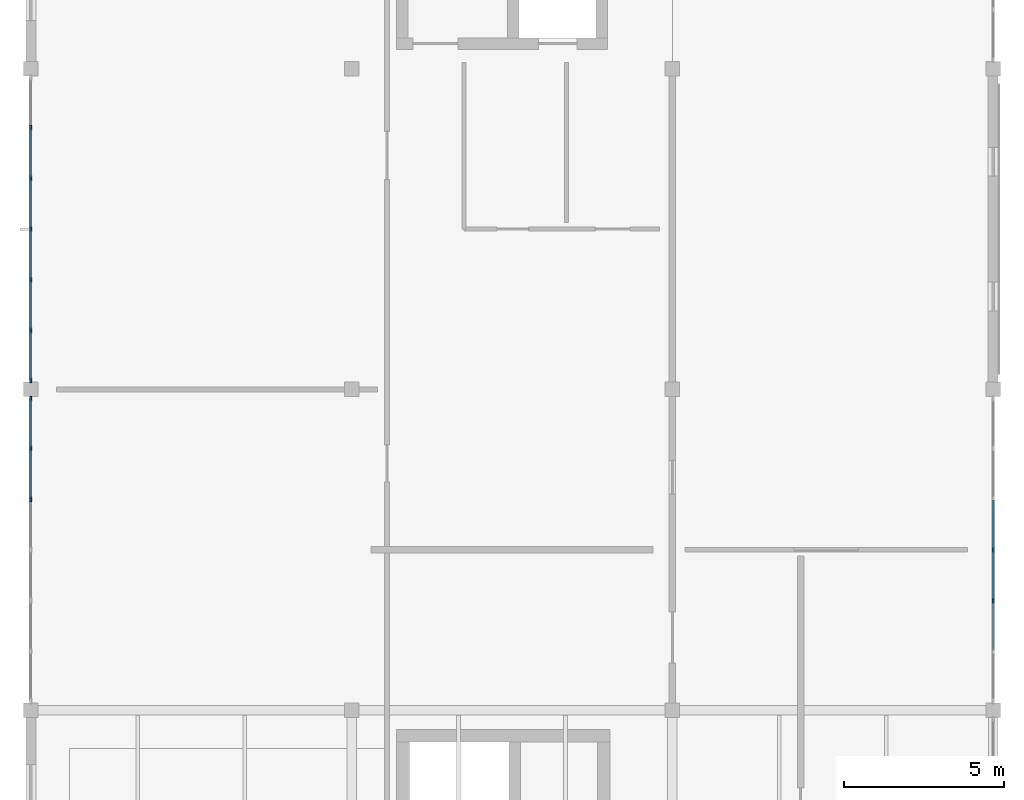
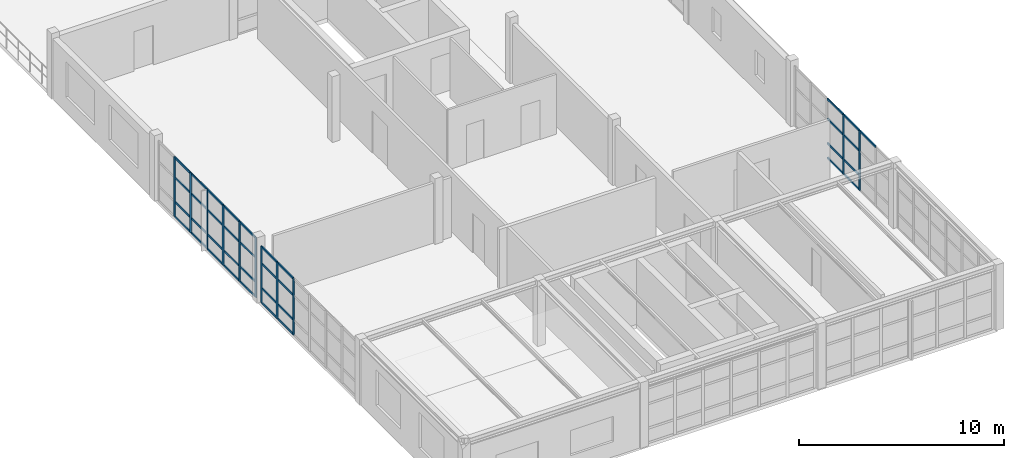
# One storey, part 4 of 11: 48 members, 3 elements without a shape of their own.
"""IFC4 building model written with IfcOpenShell, lengths in metres."""

from ifc_helpers import new_model, si_unit, direction, frame, origin, origin_2d, place, context, subcontext, project, spatial, rectangle, extrude, material, layer, layer_set, material_profile, profile_set, type_object, element, aggregate, save


model = new_model("IFC4")

# Units and contexts
model_context = context("Model", 3, precision=1e-05, world=origin(), true_north=direction((0.0, 1.0)))
body_context = subcontext(model_context, "Body", "Model", "MODEL_VIEW")
ifc_project = project(units=[si_unit("LENGTHUNIT", "METRE"), si_unit("AREAUNIT", "SQUARE_METRE"), si_unit("VOLUMEUNIT", "CUBIC_METRE"), si_unit("PLANEANGLEUNIT", "RADIAN"), si_unit("MASSUNIT", "GRAM", prefix="KILO"), si_unit("THERMODYNAMICTEMPERATUREUNIT", "KELVIN"), si_unit("POWERUNIT", "WATT")], contexts=[model_context])

# Site, building, storey
site_placement = place(None, origin())
site = spatial("IfcSite", under=ifc_project, at=site_placement, CompositionType="ELEMENT")
building_placement = place(site_placement, origin())
building = spatial("IfcBuilding", under=site, at=building_placement, Name="Korenveer Ferry Terminal", CompositionType="ELEMENT")
storey_placement = place(building_placement, frame((0.0, 0.0, 18.300048828125)))
storey = spatial("IfcBuildingStorey", under=building, at=storey_placement, Name="L04", CompositionType="ELEMENT", Elevation=18.300048828125)

# Curtain wall, members
ifc_material_1 = material(Name="Unitised bronze-and-glass curtain wall", Category="glass")
ifc_layer_1 = layer(ifc_material_1, 0.159912109375)
ifc_layer_set_1 = layer_set([ifc_layer_1], Name="Unitised bronze-and-glass curtain wall")
curtain_wall_type_1 = type_object("IfcCurtainWallType", Name="ENV-CW-131", PredefinedType="USERDEFINED", material=ifc_layer_set_1)
curtain_wall_1_placement = place(storey_placement, frame((0.0, 30.2548828125, 0.0)))
curtain_wall_1 = element("IfcCurtainWall", 1, at=curtain_wall_1_placement, inside=storey, type_object=curtain_wall_type_1, Name="Lancet curtain wall CWX-L04-X0-0-Y30-40", ObjectType="UNITISED CURTAIN WALL", PredefinedType="USERDEFINED")
ifc_material_2 = material(Name="Anodised bronze aluminium", Category="aluminium")
ifc_material_profile_1 = material_profile(ifc_material_2, rectangle(XDim=0.06005859375, YDim=0.159912109375, at=origin_2d()), Name="ALU 60x160")
ifc_profile_set_1 = profile_set([ifc_material_profile_1], Name="Anodised bronze aluminium")
member_type_1 = type_object("IfcMemberType", Name="ENV-CWM-60X160", PredefinedType="MULLION", material=ifc_profile_set_1)
member_1_placement = place(storey_placement, frame((0.0, 36.581787109375, 0.0), z_axis=(0.0, 0.0, 1.0), x_axis=(-1.0, 0.0, 0.0)))
member_1 = element("IfcMember", 2, at=member_1_placement, type_object=member_type_1, Name="CW-131 mullion 5", PredefinedType="MULLION", context=body_context, shape_type="SweptSolid", body=[
    extrude(rectangle(XDim=0.06005859375, YDim=0.159912109375, at=origin_2d()), origin(), (0.0, 0.0, 1.0), 3.35986328125),
])
member_2_placement = place(storey_placement, frame((0.0, 38.163330078125, 0.0), z_axis=(0.0, 0.0, 1.0), x_axis=(-1.0, 0.0, 0.0)))
member_2 = element("IfcMember", 3, at=member_2_placement, type_object=member_type_1, Name="CW-131 mullion 6", PredefinedType="MULLION", context=body_context, shape_type="SweptSolid", body=[
    extrude(rectangle(XDim=0.06005859375, YDim=0.159912109375, at=origin_2d()), origin(), (0.0, 0.0, 1.0), 3.35986328125),
])
member_3_placement = place(storey_placement, frame((0.0, 39.715087890625, 0.0), z_axis=(0.0, 0.0, 1.0), x_axis=(-1.0, 0.0, 0.0)))
member_3 = element("IfcMember", 4, at=member_3_placement, type_object=member_type_1, Name="CW-131 mullion 7", PredefinedType="MULLION", context=body_context, shape_type="SweptSolid", body=[
    extrude(rectangle(XDim=0.06005859375, YDim=0.159912109375, at=origin_2d()), origin(), (0.0, 0.0, 1.0), 3.35986328125),
])

ifc_layer_2 = layer(ifc_material_1, 0.159912109375)
ifc_layer_set_2 = layer_set([ifc_layer_2], Name="Unitised bronze-and-glass curtain wall")
curtain_wall_type_2 = type_object("IfcCurtainWallType", Name="ENV-CW-132", PredefinedType="USERDEFINED", material=ifc_layer_set_2)
curtain_wall_2_placement = place(storey_placement, frame((0.0, 40.2548828125, 0.0)))
curtain_wall_2 = element("IfcCurtainWall", 5, at=curtain_wall_2_placement, inside=storey, type_object=curtain_wall_type_2, Name="Lancet curtain wall CWX-L04-X0-0-Y40-50", ObjectType="UNITISED CURTAIN WALL", PredefinedType="USERDEFINED")
member_4_placement = place(storey_placement, frame((0.0, 40.284912109375, 0.0), z_axis=(0.0, 0.0, 1.0), x_axis=(-1.0, 0.0, 0.0)))
member_4 = element("IfcMember", 6, at=member_4_placement, type_object=member_type_1, Name="CW-132 mullion 1", PredefinedType="MULLION", context=body_context, shape_type="SweptSolid", body=[
    extrude(rectangle(XDim=0.06005859375, YDim=0.159912109375, at=origin_2d()), origin(), (0.0, 0.0, 1.0), 3.56005859375),
])
member_5_placement = place(storey_placement, frame((0.0, 41.836669921875, 0.0), z_axis=(0.0, 0.0, 1.0), x_axis=(-1.0, 0.0, 0.0)))
member_5 = element("IfcMember", 7, at=member_5_placement, type_object=member_type_1, Name="CW-132 mullion 2", PredefinedType="MULLION", context=body_context, shape_type="SweptSolid", body=[
    extrude(rectangle(XDim=0.06005859375, YDim=0.159912109375, at=origin_2d()), origin(), (0.0, 0.0, 1.0), 3.56005859375),
])
member_6_placement = place(storey_placement, frame((0.0, 43.418212890625, 0.0), z_axis=(0.0, 0.0, 1.0), x_axis=(-1.0, 0.0, 0.0)))
member_6 = element("IfcMember", 8, at=member_6_placement, type_object=member_type_1, Name="CW-132 mullion 3", PredefinedType="MULLION", context=body_context, shape_type="SweptSolid", body=[
    extrude(rectangle(XDim=0.06005859375, YDim=0.159912109375, at=origin_2d()), origin(), (0.0, 0.0, 1.0), 3.56005859375),
])
member_7_placement = place(storey_placement, frame((0.0, 45.0, 0.0), z_axis=(0.0, 0.0, 1.0), x_axis=(-1.0, 0.0, 0.0)))
member_7 = element("IfcMember", 9, at=member_7_placement, type_object=member_type_1, Name="CW-132 mullion 4", PredefinedType="MULLION", context=body_context, shape_type="SweptSolid", body=[
    extrude(rectangle(XDim=0.06005859375, YDim=0.159912109375, at=origin_2d()), origin(), (0.0, 0.0, 1.0), 3.56005859375),
])
member_8_placement = place(storey_placement, frame((0.0, 46.581787109375, 0.0), z_axis=(0.0, 0.0, 1.0), x_axis=(-1.0, 0.0, 0.0)))
member_8 = element("IfcMember", 10, at=member_8_placement, type_object=member_type_1, Name="CW-132 mullion 5", PredefinedType="MULLION", context=body_context, shape_type="SweptSolid", body=[
    extrude(rectangle(XDim=0.06005859375, YDim=0.159912109375, at=origin_2d()), origin(), (0.0, 0.0, 1.0), 3.56005859375),
])
member_9_placement = place(storey_placement, frame((0.0, 48.163330078125, 0.0), z_axis=(0.0, 0.0, 1.0), x_axis=(-1.0, 0.0, 0.0)))
member_9 = element("IfcMember", 11, at=member_9_placement, type_object=member_type_1, Name="CW-132 mullion 6", PredefinedType="MULLION", context=body_context, shape_type="SweptSolid", body=[
    extrude(rectangle(XDim=0.06005859375, YDim=0.159912109375, at=origin_2d()), origin(), (0.0, 0.0, 1.0), 3.56005859375),
])

curtain_wall_3_placement = place(storey_placement, frame((30.0, 39.7451171875, 0.0)))
curtain_wall_3 = element("IfcCurtainWall", 12, at=curtain_wall_3_placement, inside=storey, type_object=curtain_wall_type_2, Name="Lancet curtain wall CWX-L04-X30-30-Y30-40", ObjectType="UNITISED CURTAIN WALL", PredefinedType="USERDEFINED")
member_10_placement = place(storey_placement, frame((30.0, 35.0, 0.0), z_axis=(0.0, 0.0, 1.0), x_axis=(1.0, 0.0, 0.0)))
member_10 = element("IfcMember", 13, at=member_10_placement, type_object=member_type_1, Name="CW-132 mullion 4", PredefinedType="MULLION", context=body_context, shape_type="SweptSolid", body=[
    extrude(rectangle(XDim=0.06005859375, YDim=0.159912109375, at=origin_2d()), origin(), (0.0, 0.0, 1.0), 3.56005859375),
])
member_11_placement = place(storey_placement, frame((30.0, 33.418212890625, 0.0), z_axis=(0.0, 0.0, 1.0), x_axis=(1.0, 0.0, 0.0)))
member_11 = element("IfcMember", 14, at=member_11_placement, type_object=member_type_1, Name="CW-132 mullion 5", PredefinedType="MULLION", context=body_context, shape_type="SweptSolid", body=[
    extrude(rectangle(XDim=0.06005859375, YDim=0.159912109375, at=origin_2d()), origin(), (0.0, 0.0, 1.0), 3.56005859375),
])

# Member
ifc_material_profile_2 = material_profile(ifc_material_2, rectangle(XDim=0.06005859375, YDim=0.1201171875, at=origin_2d()), Name="ALU 60x120")
ifc_profile_set_2 = profile_set([ifc_material_profile_2], Name="Anodised bronze aluminium")
member_type_2 = type_object("IfcMemberType", Name="ENV-CWT-60X120", PredefinedType="USERDEFINED", material=ifc_profile_set_2)
member_12_placement = place(storey_placement, frame((0.0, 36.611572265625, 0.030029296875), z_axis=(0.0, 1.0, 0.0), x_axis=(-1.0, 0.0, 0.0)))
member_12 = element("IfcMember", 15, at=member_12_placement, type_object=member_type_2, Name="CW-131 transom 5.1", ObjectType="TRANSOM", PredefinedType="USERDEFINED", context=body_context, shape_type="SweptSolid", body=[
    extrude(rectangle(XDim=0.06005859375, YDim=0.1201171875, at=origin_2d()), origin(), (0.0, 0.0, 1.0), 1.521728515625),
])

member_13_placement = place(storey_placement, frame((0.0, 36.611572265625, 0.89990234375), z_axis=(0.0, 1.0, 0.0), x_axis=(-1.0, 0.0, 0.0)))
member_13 = element("IfcMember", 16, at=member_13_placement, type_object=member_type_2, Name="CW-131 transom 5.2", ObjectType="TRANSOM", PredefinedType="USERDEFINED", context=body_context, shape_type="SweptSolid", body=[
    extrude(rectangle(XDim=0.06005859375, YDim=0.1201171875, at=origin_2d()), origin(), (0.0, 0.0, 1.0), 1.521728515625),
])

member_14_placement = place(storey_placement, frame((0.0, 36.611572265625, 2.349853515625), z_axis=(0.0, 1.0, 0.0), x_axis=(-1.0, 0.0, 0.0)))
member_14 = element("IfcMember", 17, at=member_14_placement, type_object=member_type_2, Name="CW-131 transom 5.3", ObjectType="TRANSOM", PredefinedType="USERDEFINED", context=body_context, shape_type="SweptSolid", body=[
    extrude(rectangle(XDim=0.06005859375, YDim=0.1201171875, at=origin_2d()), origin(), (0.0, 0.0, 1.0), 1.521728515625),
])

member_15_placement = place(storey_placement, frame((0.0, 36.611572265625, 3.329833984375), z_axis=(0.0, 1.0, 0.0), x_axis=(-1.0, 0.0, 0.0)))
member_15 = element("IfcMember", 18, at=member_15_placement, type_object=member_type_2, Name="CW-131 transom 5.4", ObjectType="TRANSOM", PredefinedType="USERDEFINED", context=body_context, shape_type="SweptSolid", body=[
    extrude(rectangle(XDim=0.06005859375, YDim=0.1201171875, at=origin_2d()), origin(), (0.0, 0.0, 1.0), 1.521728515625),
])

member_16_placement = place(storey_placement, frame((0.0, 38.193359375, 0.030029296875), z_axis=(0.0, 1.0, 0.0), x_axis=(-1.0, 0.0, 0.0)))
member_16 = element("IfcMember", 19, at=member_16_placement, type_object=member_type_2, Name="CW-131 transom 6.1", ObjectType="TRANSOM", PredefinedType="USERDEFINED", context=body_context, shape_type="SweptSolid", body=[
    extrude(rectangle(XDim=0.06005859375, YDim=0.1201171875, at=origin_2d()), origin(), (0.0, 0.0, 1.0), 1.49169921875),
])

member_17_placement = place(storey_placement, frame((0.0, 38.193359375, 0.89990234375), z_axis=(0.0, 1.0, 0.0), x_axis=(-1.0, 0.0, 0.0)))
member_17 = element("IfcMember", 20, at=member_17_placement, type_object=member_type_2, Name="CW-131 transom 6.2", ObjectType="TRANSOM", PredefinedType="USERDEFINED", context=body_context, shape_type="SweptSolid", body=[
    extrude(rectangle(XDim=0.06005859375, YDim=0.1201171875, at=origin_2d()), origin(), (0.0, 0.0, 1.0), 1.49169921875),
])

member_18_placement = place(storey_placement, frame((0.0, 38.193359375, 2.349853515625), z_axis=(0.0, 1.0, 0.0), x_axis=(-1.0, 0.0, 0.0)))
member_18 = element("IfcMember", 21, at=member_18_placement, type_object=member_type_2, Name="CW-131 transom 6.3", ObjectType="TRANSOM", PredefinedType="USERDEFINED", context=body_context, shape_type="SweptSolid", body=[
    extrude(rectangle(XDim=0.06005859375, YDim=0.1201171875, at=origin_2d()), origin(), (0.0, 0.0, 1.0), 1.49169921875),
])

member_19_placement = place(storey_placement, frame((0.0, 38.193359375, 3.329833984375), z_axis=(0.0, 1.0, 0.0), x_axis=(-1.0, 0.0, 0.0)))
member_19 = element("IfcMember", 22, at=member_19_placement, type_object=member_type_2, Name="CW-131 transom 6.4", ObjectType="TRANSOM", PredefinedType="USERDEFINED", context=body_context, shape_type="SweptSolid", body=[
    extrude(rectangle(XDim=0.06005859375, YDim=0.1201171875, at=origin_2d()), origin(), (0.0, 0.0, 1.0), 1.49169921875),
])

aggregate(curtain_wall_1, [member_1, member_2, member_3, member_12, member_13, member_14, member_15, member_16, member_17, member_18, member_19])

member_20_placement = place(storey_placement, frame((0.0, 40.31494140625, 0.030029296875), z_axis=(0.0, 1.0, 0.0), x_axis=(-1.0, 0.0, 0.0)))
member_20 = element("IfcMember", 23, at=member_20_placement, type_object=member_type_2, Name="CW-132 transom 1.1", ObjectType="TRANSOM", PredefinedType="USERDEFINED", context=body_context, shape_type="SweptSolid", body=[
    extrude(rectangle(XDim=0.06005859375, YDim=0.1201171875, at=origin_2d()), origin(), (0.0, 0.0, 1.0), 1.49169921875),
])

member_21_placement = place(storey_placement, frame((0.0, 40.31494140625, 0.89990234375), z_axis=(0.0, 1.0, 0.0), x_axis=(-1.0, 0.0, 0.0)))
member_21 = element("IfcMember", 24, at=member_21_placement, type_object=member_type_2, Name="CW-132 transom 1.2", ObjectType="TRANSOM", PredefinedType="USERDEFINED", context=body_context, shape_type="SweptSolid", body=[
    extrude(rectangle(XDim=0.06005859375, YDim=0.1201171875, at=origin_2d()), origin(), (0.0, 0.0, 1.0), 1.49169921875),
])

member_22_placement = place(storey_placement, frame((0.0, 40.31494140625, 2.349853515625), z_axis=(0.0, 1.0, 0.0), x_axis=(-1.0, 0.0, 0.0)))
member_22 = element("IfcMember", 25, at=member_22_placement, type_object=member_type_2, Name="CW-132 transom 1.3", ObjectType="TRANSOM", PredefinedType="USERDEFINED", context=body_context, shape_type="SweptSolid", body=[
    extrude(rectangle(XDim=0.06005859375, YDim=0.1201171875, at=origin_2d()), origin(), (0.0, 0.0, 1.0), 1.49169921875),
])

member_23_placement = place(storey_placement, frame((0.0, 40.31494140625, 3.530029296875), z_axis=(0.0, 1.0, 0.0), x_axis=(-1.0, 0.0, 0.0)))
member_23 = element("IfcMember", 26, at=member_23_placement, type_object=member_type_2, Name="CW-132 transom 1.4", ObjectType="TRANSOM", PredefinedType="USERDEFINED", context=body_context, shape_type="SweptSolid", body=[
    extrude(rectangle(XDim=0.06005859375, YDim=0.1201171875, at=origin_2d()), origin(), (0.0, 0.0, 1.0), 1.49169921875),
])

member_24_placement = place(storey_placement, frame((0.0, 41.86669921875, 0.030029296875), z_axis=(0.0, 1.0, 0.0), x_axis=(-1.0, 0.0, 0.0)))
member_24 = element("IfcMember", 27, at=member_24_placement, type_object=member_type_2, Name="CW-132 transom 2.1", ObjectType="TRANSOM", PredefinedType="USERDEFINED", context=body_context, shape_type="SweptSolid", body=[
    extrude(rectangle(XDim=0.06005859375, YDim=0.1201171875, at=origin_2d()), origin(), (0.0, 0.0, 1.0), 1.521728515625),
])

member_25_placement = place(storey_placement, frame((0.0, 41.86669921875, 0.89990234375), z_axis=(0.0, 1.0, 0.0), x_axis=(-1.0, 0.0, 0.0)))
member_25 = element("IfcMember", 28, at=member_25_placement, type_object=member_type_2, Name="CW-132 transom 2.2", ObjectType="TRANSOM", PredefinedType="USERDEFINED", context=body_context, shape_type="SweptSolid", body=[
    extrude(rectangle(XDim=0.06005859375, YDim=0.1201171875, at=origin_2d()), origin(), (0.0, 0.0, 1.0), 1.521728515625),
])

member_26_placement = place(storey_placement, frame((0.0, 41.86669921875, 2.349853515625), z_axis=(0.0, 1.0, 0.0), x_axis=(-1.0, 0.0, 0.0)))
member_26 = element("IfcMember", 29, at=member_26_placement, type_object=member_type_2, Name="CW-132 transom 2.3", ObjectType="TRANSOM", PredefinedType="USERDEFINED", context=body_context, shape_type="SweptSolid", body=[
    extrude(rectangle(XDim=0.06005859375, YDim=0.1201171875, at=origin_2d()), origin(), (0.0, 0.0, 1.0), 1.521728515625),
])

member_27_placement = place(storey_placement, frame((0.0, 41.86669921875, 3.530029296875), z_axis=(0.0, 1.0, 0.0), x_axis=(-1.0, 0.0, 0.0)))
member_27 = element("IfcMember", 30, at=member_27_placement, type_object=member_type_2, Name="CW-132 transom 2.4", ObjectType="TRANSOM", PredefinedType="USERDEFINED", context=body_context, shape_type="SweptSolid", body=[
    extrude(rectangle(XDim=0.06005859375, YDim=0.1201171875, at=origin_2d()), origin(), (0.0, 0.0, 1.0), 1.521728515625),
])

member_28_placement = place(storey_placement, frame((0.0, 43.4482421875, 0.030029296875), z_axis=(0.0, 1.0, 0.0), x_axis=(-1.0, 0.0, 0.0)))
member_28 = element("IfcMember", 31, at=member_28_placement, type_object=member_type_2, Name="CW-132 transom 3.1", ObjectType="TRANSOM", PredefinedType="USERDEFINED", context=body_context, shape_type="SweptSolid", body=[
    extrude(rectangle(XDim=0.06005859375, YDim=0.1201171875, at=origin_2d()), origin(), (0.0, 0.0, 1.0), 1.521728515625),
])

member_29_placement = place(storey_placement, frame((0.0, 43.4482421875, 0.89990234375), z_axis=(0.0, 1.0, 0.0), x_axis=(-1.0, 0.0, 0.0)))
member_29 = element("IfcMember", 32, at=member_29_placement, type_object=member_type_2, Name="CW-132 transom 3.2", ObjectType="TRANSOM", PredefinedType="USERDEFINED", context=body_context, shape_type="SweptSolid", body=[
    extrude(rectangle(XDim=0.06005859375, YDim=0.1201171875, at=origin_2d()), origin(), (0.0, 0.0, 1.0), 1.521728515625),
])

member_30_placement = place(storey_placement, frame((0.0, 43.4482421875, 2.349853515625), z_axis=(0.0, 1.0, 0.0), x_axis=(-1.0, 0.0, 0.0)))
member_30 = element("IfcMember", 33, at=member_30_placement, type_object=member_type_2, Name="CW-132 transom 3.3", ObjectType="TRANSOM", PredefinedType="USERDEFINED", context=body_context, shape_type="SweptSolid", body=[
    extrude(rectangle(XDim=0.06005859375, YDim=0.1201171875, at=origin_2d()), origin(), (0.0, 0.0, 1.0), 1.521728515625),
])

member_31_placement = place(storey_placement, frame((0.0, 43.4482421875, 3.530029296875), z_axis=(0.0, 1.0, 0.0), x_axis=(-1.0, 0.0, 0.0)))
member_31 = element("IfcMember", 34, at=member_31_placement, type_object=member_type_2, Name="CW-132 transom 3.4", ObjectType="TRANSOM", PredefinedType="USERDEFINED", context=body_context, shape_type="SweptSolid", body=[
    extrude(rectangle(XDim=0.06005859375, YDim=0.1201171875, at=origin_2d()), origin(), (0.0, 0.0, 1.0), 1.521728515625),
])

member_32_placement = place(storey_placement, frame((0.0, 45.030029296875, 0.030029296875), z_axis=(0.0, 1.0, 0.0), x_axis=(-1.0, 0.0, 0.0)))
member_32 = element("IfcMember", 35, at=member_32_placement, type_object=member_type_2, Name="CW-132 transom 4.1", ObjectType="TRANSOM", PredefinedType="USERDEFINED", context=body_context, shape_type="SweptSolid", body=[
    extrude(rectangle(XDim=0.06005859375, YDim=0.1201171875, at=origin_2d()), origin(), (0.0, 0.0, 1.0), 1.521728515625),
])

member_33_placement = place(storey_placement, frame((0.0, 45.030029296875, 0.89990234375), z_axis=(0.0, 1.0, 0.0), x_axis=(-1.0, 0.0, 0.0)))
member_33 = element("IfcMember", 36, at=member_33_placement, type_object=member_type_2, Name="CW-132 transom 4.2", ObjectType="TRANSOM", PredefinedType="USERDEFINED", context=body_context, shape_type="SweptSolid", body=[
    extrude(rectangle(XDim=0.06005859375, YDim=0.1201171875, at=origin_2d()), origin(), (0.0, 0.0, 1.0), 1.521728515625),
])

member_34_placement = place(storey_placement, frame((0.0, 45.030029296875, 2.349853515625), z_axis=(0.0, 1.0, 0.0), x_axis=(-1.0, 0.0, 0.0)))
member_34 = element("IfcMember", 37, at=member_34_placement, type_object=member_type_2, Name="CW-132 transom 4.3", ObjectType="TRANSOM", PredefinedType="USERDEFINED", context=body_context, shape_type="SweptSolid", body=[
    extrude(rectangle(XDim=0.06005859375, YDim=0.1201171875, at=origin_2d()), origin(), (0.0, 0.0, 1.0), 1.521728515625),
])

member_35_placement = place(storey_placement, frame((0.0, 45.030029296875, 3.530029296875), z_axis=(0.0, 1.0, 0.0), x_axis=(-1.0, 0.0, 0.0)))
member_35 = element("IfcMember", 38, at=member_35_placement, type_object=member_type_2, Name="CW-132 transom 4.4", ObjectType="TRANSOM", PredefinedType="USERDEFINED", context=body_context, shape_type="SweptSolid", body=[
    extrude(rectangle(XDim=0.06005859375, YDim=0.1201171875, at=origin_2d()), origin(), (0.0, 0.0, 1.0), 1.521728515625),
])

member_36_placement = place(storey_placement, frame((0.0, 46.611572265625, 0.030029296875), z_axis=(0.0, 1.0, 0.0), x_axis=(-1.0, 0.0, 0.0)))
member_36 = element("IfcMember", 39, at=member_36_placement, type_object=member_type_2, Name="CW-132 transom 5.1", ObjectType="TRANSOM", PredefinedType="USERDEFINED", context=body_context, shape_type="SweptSolid", body=[
    extrude(rectangle(XDim=0.06005859375, YDim=0.1201171875, at=origin_2d()), origin(), (0.0, 0.0, 1.0), 1.521728515625),
])

member_37_placement = place(storey_placement, frame((0.0, 46.611572265625, 0.89990234375), z_axis=(0.0, 1.0, 0.0), x_axis=(-1.0, 0.0, 0.0)))
member_37 = element("IfcMember", 40, at=member_37_placement, type_object=member_type_2, Name="CW-132 transom 5.2", ObjectType="TRANSOM", PredefinedType="USERDEFINED", context=body_context, shape_type="SweptSolid", body=[
    extrude(rectangle(XDim=0.06005859375, YDim=0.1201171875, at=origin_2d()), origin(), (0.0, 0.0, 1.0), 1.521728515625),
])

member_38_placement = place(storey_placement, frame((0.0, 46.611572265625, 2.349853515625), z_axis=(0.0, 1.0, 0.0), x_axis=(-1.0, 0.0, 0.0)))
member_38 = element("IfcMember", 41, at=member_38_placement, type_object=member_type_2, Name="CW-132 transom 5.3", ObjectType="TRANSOM", PredefinedType="USERDEFINED", context=body_context, shape_type="SweptSolid", body=[
    extrude(rectangle(XDim=0.06005859375, YDim=0.1201171875, at=origin_2d()), origin(), (0.0, 0.0, 1.0), 1.521728515625),
])

member_39_placement = place(storey_placement, frame((0.0, 46.611572265625, 3.530029296875), z_axis=(0.0, 1.0, 0.0), x_axis=(-1.0, 0.0, 0.0)))
member_39 = element("IfcMember", 42, at=member_39_placement, type_object=member_type_2, Name="CW-132 transom 5.4", ObjectType="TRANSOM", PredefinedType="USERDEFINED", context=body_context, shape_type="SweptSolid", body=[
    extrude(rectangle(XDim=0.06005859375, YDim=0.1201171875, at=origin_2d()), origin(), (0.0, 0.0, 1.0), 1.521728515625),
])

aggregate(curtain_wall_2, [member_4, member_5, member_6, member_7, member_8, member_9, member_20, member_21, member_22, member_23, member_24, member_25, member_26, member_27, member_28, member_29, member_30, member_31, member_32, member_33, member_34, member_35, member_36, member_37, member_38, member_39])

member_40_placement = place(storey_placement, frame((30.0, 36.5517578125, 0.030029296875), z_axis=(0.0, -1.0, 0.0), x_axis=(1.0, 0.0, 0.0)))
member_40 = element("IfcMember", 43, at=member_40_placement, type_object=member_type_2, Name="CW-132 transom 3.1", ObjectType="TRANSOM", PredefinedType="USERDEFINED", context=body_context, shape_type="SweptSolid", body=[
    extrude(rectangle(XDim=0.06005859375, YDim=0.1201171875, at=origin_2d()), origin(), (0.0, 0.0, 1.0), 1.521728515625),
])

member_41_placement = place(storey_placement, frame((30.0, 36.5517578125, 0.89990234375), z_axis=(0.0, -1.0, 0.0), x_axis=(1.0, 0.0, 0.0)))
member_41 = element("IfcMember", 44, at=member_41_placement, type_object=member_type_2, Name="CW-132 transom 3.2", ObjectType="TRANSOM", PredefinedType="USERDEFINED", context=body_context, shape_type="SweptSolid", body=[
    extrude(rectangle(XDim=0.06005859375, YDim=0.1201171875, at=origin_2d()), origin(), (0.0, 0.0, 1.0), 1.521728515625),
])

member_42_placement = place(storey_placement, frame((30.0, 36.5517578125, 2.349853515625), z_axis=(0.0, -1.0, 0.0), x_axis=(1.0, 0.0, 0.0)))
member_42 = element("IfcMember", 45, at=member_42_placement, type_object=member_type_2, Name="CW-132 transom 3.3", ObjectType="TRANSOM", PredefinedType="USERDEFINED", context=body_context, shape_type="SweptSolid", body=[
    extrude(rectangle(XDim=0.06005859375, YDim=0.1201171875, at=origin_2d()), origin(), (0.0, 0.0, 1.0), 1.521728515625),
])

member_43_placement = place(storey_placement, frame((30.0, 36.5517578125, 3.530029296875), z_axis=(0.0, -1.0, 0.0), x_axis=(1.0, 0.0, 0.0)))
member_43 = element("IfcMember", 46, at=member_43_placement, type_object=member_type_2, Name="CW-132 transom 3.4", ObjectType="TRANSOM", PredefinedType="USERDEFINED", context=body_context, shape_type="SweptSolid", body=[
    extrude(rectangle(XDim=0.06005859375, YDim=0.1201171875, at=origin_2d()), origin(), (0.0, 0.0, 1.0), 1.521728515625),
])

member_44_placement = place(storey_placement, frame((30.0, 34.969970703125, 0.030029296875), z_axis=(0.0, -1.0, 0.0), x_axis=(1.0, 0.0, 0.0)))
member_44 = element("IfcMember", 47, at=member_44_placement, type_object=member_type_2, Name="CW-132 transom 4.1", ObjectType="TRANSOM", PredefinedType="USERDEFINED", context=body_context, shape_type="SweptSolid", body=[
    extrude(rectangle(XDim=0.06005859375, YDim=0.1201171875, at=origin_2d()), origin(), (0.0, 0.0, 1.0), 1.521728515625),
])

member_45_placement = place(storey_placement, frame((30.0, 34.969970703125, 0.89990234375), z_axis=(0.0, -1.0, 0.0), x_axis=(1.0, 0.0, 0.0)))
member_45 = element("IfcMember", 48, at=member_45_placement, type_object=member_type_2, Name="CW-132 transom 4.2", ObjectType="TRANSOM", PredefinedType="USERDEFINED", context=body_context, shape_type="SweptSolid", body=[
    extrude(rectangle(XDim=0.06005859375, YDim=0.1201171875, at=origin_2d()), origin(), (0.0, 0.0, 1.0), 1.521728515625),
])

member_46_placement = place(storey_placement, frame((30.0, 34.969970703125, 2.349853515625), z_axis=(0.0, -1.0, 0.0), x_axis=(1.0, 0.0, 0.0)))
member_46 = element("IfcMember", 49, at=member_46_placement, type_object=member_type_2, Name="CW-132 transom 4.3", ObjectType="TRANSOM", PredefinedType="USERDEFINED", context=body_context, shape_type="SweptSolid", body=[
    extrude(rectangle(XDim=0.06005859375, YDim=0.1201171875, at=origin_2d()), origin(), (0.0, 0.0, 1.0), 1.521728515625),
])

member_47_placement = place(storey_placement, frame((30.0, 34.969970703125, 3.530029296875), z_axis=(0.0, -1.0, 0.0), x_axis=(1.0, 0.0, 0.0)))
member_47 = element("IfcMember", 50, at=member_47_placement, type_object=member_type_2, Name="CW-132 transom 4.4", ObjectType="TRANSOM", PredefinedType="USERDEFINED", context=body_context, shape_type="SweptSolid", body=[
    extrude(rectangle(XDim=0.06005859375, YDim=0.1201171875, at=origin_2d()), origin(), (0.0, 0.0, 1.0), 1.521728515625),
])

member_48_placement = place(storey_placement, frame((30.0, 33.388427734375, 3.530029296875), z_axis=(0.0, -1.0, 0.0), x_axis=(1.0, 0.0, 0.0)))
member_48 = element("IfcMember", 51, at=member_48_placement, type_object=member_type_2, Name="CW-132 transom 5.4", ObjectType="TRANSOM", PredefinedType="USERDEFINED", context=body_context, shape_type="SweptSolid", body=[
    extrude(rectangle(XDim=0.06005859375, YDim=0.1201171875, at=origin_2d()), origin(), (0.0, 0.0, 1.0), 1.521728515625),
])

aggregate(curtain_wall_3, [member_10, member_11, member_40, member_41, member_42, member_43, member_44, member_45, member_46, member_47, member_48])

save(model, "model.ifc")
